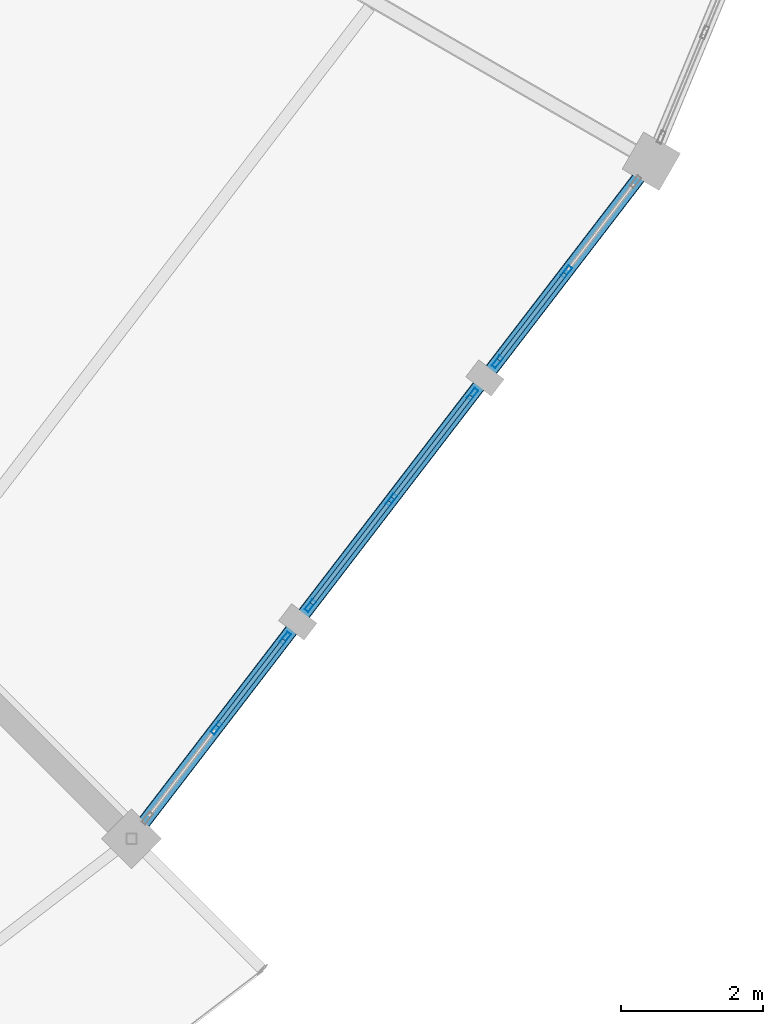
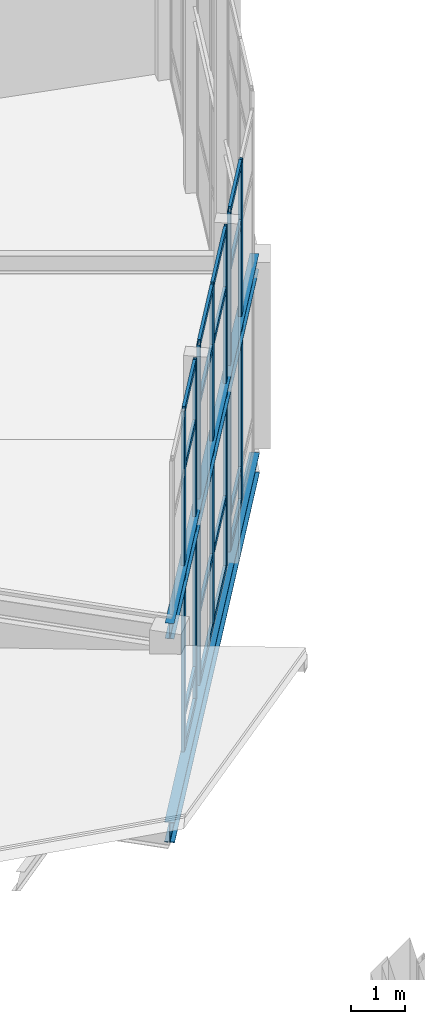
# One storey, part 107 of 185: 23 members, 2 beams, 3 elements without a shape of their own.
"""IFC4 building model written with IfcOpenShell, lengths in metres."""

from ifc_helpers import new_model, si_unit, direction, frame, origin, origin_2d, place, context, subcontext, project, spatial, hollow_rectangle, i_section, extrude, material, material_profile, profile_set, type_object, element, aggregate, save


model = new_model("IFC4")

# Units and contexts
model_context = context("Model", 3, precision=1e-05, world=origin(), true_north=direction((0.0, 1.0)))
body_context = subcontext(model_context, "Body", "Model", "MODEL_VIEW")
ifc_project = project(units=[si_unit("LENGTHUNIT", "METRE"), si_unit("AREAUNIT", "SQUARE_METRE"), si_unit("VOLUMEUNIT", "CUBIC_METRE"), si_unit("PLANEANGLEUNIT", "RADIAN"), si_unit("MASSUNIT", "GRAM", prefix="KILO")], contexts=[model_context])

# Site, building, storey
site_placement = place(None, origin())
site = spatial("IfcSite", under=ifc_project, at=site_placement, CompositionType="ELEMENT")
building_placement = place(site_placement, origin())
building = spatial("IfcBuilding", under=site, at=building_placement, Name="Vondelvale Polytechnic", CompositionType="ELEMENT")
storey_placement = place(building_placement, frame((0.0, 0.0, 9.60009765625)))
storey = spatial("IfcBuildingStorey", under=building, at=storey_placement, Name="L02", CompositionType="ELEMENT", Elevation=9.60009765625)

# Beams
ifc_material_1 = material(Name="Steel 300PLUS (fy = 300 MPa)", Category="steel")
ifc_material_profile_1 = material_profile(ifc_material_1, i_section(OverallWidth=0.1708984375, OverallDepth=0.35205078125, WebThickness=0.0068359375, FlangeThickness=0.009765625, FilletRadius=0.011474609375, at=origin_2d()), Name="360UB44.7")
ifc_profile_set_1 = profile_set([ifc_material_profile_1], Name="Steel 300PLUS (fy = 300 MPa)")
beam_type_1 = type_object("IfcBeamType", Name="BM-UB360L", PredefinedType="BEAM", material=ifc_profile_set_1)
beam_1_placement = place(storey_placement, frame((134.52685546875, 39.47314453125, 4.02392578125), z_axis=(0.608766116008, 0.793349743808, 0.0), x_axis=(-0.793349743808, 0.608766116008, 0.0)))
element("IfcBeam", 1, at=beam_1_placement, inside=storey, type_object=beam_type_1, Name="L02 RE B-24", PredefinedType="BEAM", context=body_context, shape_type="SweptSolid", body=[
    extrude(i_section(OverallWidth=0.1708984375, OverallDepth=0.35205078125, WebThickness=0.0068359375, FlangeThickness=0.009765625, FilletRadius=0.011474609375, at=origin_2d()), origin(), (0.0, 0.0, 1.0), 12.00830078125),
])
ifc_material_profile_2 = material_profile(ifc_material_1, i_section(OverallWidth=0.18994140625, OverallDepth=0.45703125, WebThickness=0.009033203125, FlangeThickness=0.014404296875, FilletRadius=0.011474609375, at=origin_2d()), Name="460UB74.6")
ifc_profile_set_2 = profile_set([ifc_material_profile_2], Name="Steel 300PLUS (fy = 300 MPa)")
beam_type_2 = type_object("IfcBeamType", Name="BM-UB460", PredefinedType="BEAM", material=ifc_profile_set_2)
beam_2_placement = place(storey_placement, frame((134.52685546875, 39.47314453125, -0.508544921875), z_axis=(0.608766116008, 0.793349743808, 0.0), x_axis=(-0.793349743808, 0.608766116008, 0.0)))
element("IfcBeam", 2, at=beam_2_placement, inside=storey, type_object=beam_type_2, Name="L02 RB B-13", PredefinedType="BEAM", context=body_context, shape_type="SweptSolid", body=[
    extrude(i_section(OverallWidth=0.18994140625, OverallDepth=0.45703125, WebThickness=0.009033203125, FlangeThickness=0.014404296875, FilletRadius=0.011474609375, at=origin_2d()), origin(), (0.0, 0.0, 1.0), 12.00830078125),
])

# Curtain wall, members
ifc_material_2 = material(Name="Glulam GL18 structural Tasmanian oak (fb = 42 MPa)", Category="wood")
curtain_wall_type = type_object("IfcCurtainWallType", Name="CW-RING-OUTER", PredefinedType="NOTDEFINED", material=ifc_material_2)
curtain_wall_1_placement = place(storey_placement, origin())
curtain_wall_1 = element("IfcCurtainWall", 3, at=curtain_wall_1_placement, inside=storey, type_object=curtain_wall_type, Name="L02 architectural curtain wall CW-04-356", PredefinedType="NOTDEFINED")
ifc_material_3 = material(Name="Anodised extruded aluminium 6063-T6", Category="aluminium")
ifc_material_profile_3 = material_profile(ifc_material_3, hollow_rectangle(XDim=0.06494140625, YDim=0.179931640625, WallThickness=0.00390625, at=origin_2d()), Name="CW-MUL-180x65")
ifc_profile_set_3 = profile_set([ifc_material_profile_3], Name="Anodised extruded aluminium 6063-T6")
member_type_1 = type_object("IfcMemberType", Name="CW-MUL-65x180", PredefinedType="MULLION", material=ifc_profile_set_3)
member_1_placement = place(storey_placement, frame((135.72021484375, 41.0283203125, 0.0), z_axis=(0.0, 0.0, 1.0), x_axis=(-0.793333825656, 0.608786860133, 0.0)))
member_1 = element("IfcMember", 4, at=member_1_placement, type_object=member_type_1, Name="CW-04-356 mullion 2", PredefinedType="MULLION", context=body_context, shape_type="SweptSolid", body=[
    extrude(hollow_rectangle(XDim=0.06494140625, YDim=0.179931640625, WallThickness=0.00390625, at=origin_2d()), origin(), (0.0, 0.0, 1.0), 7.661376953125),
])
member_2_placement = place(storey_placement, frame((136.691162109375, 42.293701171875, 0.0), z_axis=(0.0, 0.0, 1.0), x_axis=(-0.793333825656, 0.608786860133, 0.0)))
member_2 = element("IfcMember", 5, at=member_2_placement, type_object=member_type_1, Name="CW-04-356 mullion 3", PredefinedType="MULLION", context=body_context, shape_type="SweptSolid", body=[
    extrude(hollow_rectangle(XDim=0.06494140625, YDim=0.179931640625, WallThickness=0.00390625, at=origin_2d()), origin(), (0.0, 0.0, 1.0), 7.661376953125),
])

curtain_wall_2_placement = place(storey_placement, origin())
curtain_wall_2 = element("IfcCurtainWall", 6, at=curtain_wall_2_placement, inside=storey, type_object=curtain_wall_type, Name="L02 architectural curtain wall CW-04-357", PredefinedType="NOTDEFINED")
member_3_placement = place(storey_placement, frame((137.041259765625, 42.749755859375, 0.0), z_axis=(0.0, 0.0, 1.0), x_axis=(-0.793345851043, 0.608771189063, 0.0)))
member_3 = element("IfcMember", 7, at=member_3_placement, type_object=member_type_1, Name="CW-04-357 mullion 1", PredefinedType="MULLION", context=body_context, shape_type="SweptSolid", body=[
    extrude(hollow_rectangle(XDim=0.06494140625, YDim=0.179931640625, WallThickness=0.00390625, at=origin_2d()), origin(), (0.0, 0.0, 1.0), 7.661376953125),
])
member_4_placement = place(storey_placement, frame((138.18212890625, 44.236572265625, 0.0), z_axis=(0.0, 0.0, 1.0), x_axis=(-0.793345851043, 0.608771189063, 0.0)))
member_4 = element("IfcMember", 8, at=member_4_placement, type_object=member_type_1, Name="CW-04-357 mullion 2", PredefinedType="MULLION", context=body_context, shape_type="SweptSolid", body=[
    extrude(hollow_rectangle(XDim=0.06494140625, YDim=0.179931640625, WallThickness=0.00390625, at=origin_2d()), origin(), (0.0, 0.0, 1.0), 7.661376953125),
])
member_5_placement = place(storey_placement, frame((139.322998046875, 45.723388671875, 0.0), z_axis=(0.0, 0.0, 1.0), x_axis=(-0.793345851043, 0.608771189063, 0.0)))
member_5 = element("IfcMember", 9, at=member_5_placement, type_object=member_type_1, Name="CW-04-357 mullion 3", PredefinedType="MULLION", context=body_context, shape_type="SweptSolid", body=[
    extrude(hollow_rectangle(XDim=0.06494140625, YDim=0.179931640625, WallThickness=0.00390625, at=origin_2d()), origin(), (0.0, 0.0, 1.0), 7.661376953125),
])

curtain_wall_3_placement = place(storey_placement, origin())
curtain_wall_3 = element("IfcCurtainWall", 10, at=curtain_wall_3_placement, inside=storey, type_object=curtain_wall_type, Name="L02 architectural curtain wall CW-04-358", PredefinedType="NOTDEFINED")
member_6_placement = place(storey_placement, frame((139.6728515625, 46.179443359375, 0.0), z_axis=(0.0, 0.0, 1.0), x_axis=(-0.793333825656, 0.608786860133, 0.0)))
member_6 = element("IfcMember", 11, at=member_6_placement, type_object=member_type_1, Name="CW-04-358 mullion 1", PredefinedType="MULLION", context=body_context, shape_type="SweptSolid", body=[
    extrude(hollow_rectangle(XDim=0.06494140625, YDim=0.179931640625, WallThickness=0.00390625, at=origin_2d()), origin(), (0.0, 0.0, 1.0), 7.661376953125),
])
member_7_placement = place(storey_placement, frame((140.643798828125, 47.44482421875, 0.0), z_axis=(0.0, 0.0, 1.0), x_axis=(-0.793333825656, 0.608786860133, 0.0)))
member_7 = element("IfcMember", 12, at=member_7_placement, type_object=member_type_1, Name="CW-04-358 mullion 2", PredefinedType="MULLION", context=body_context, shape_type="SweptSolid", body=[
    extrude(hollow_rectangle(XDim=0.06494140625, YDim=0.179931640625, WallThickness=0.00390625, at=origin_2d()), origin(), (0.0, 0.0, 1.0), 7.661376953125),
])

# Member
ifc_material_profile_4 = material_profile(ifc_material_3, hollow_rectangle(XDim=0.06005859375, YDim=0.139892578125, WallThickness=0.00341796875, at=origin_2d()), Name="CW-TRN-140x60")
ifc_profile_set_4 = profile_set([ifc_material_profile_4], Name="Anodised extruded aluminium 6063-T6")
member_type_2 = type_object("IfcMemberType", Name="CW-TRN-60x140", PredefinedType="USERDEFINED", material=ifc_profile_set_4)
member_8_placement = place(storey_placement, frame((135.739990234375, 41.053955078125, 0.02978515625), z_axis=(0.608746385664, 0.793364883229, 0.0), x_axis=(-0.793364883229, 0.608746385664, 0.0)))
member_8 = element("IfcMember", 13, at=member_8_placement, type_object=member_type_2, Name="CW-04-356 transom 2.1", ObjectType="TRANSOM", PredefinedType="USERDEFINED", context=body_context, shape_type="SweptSolid", body=[
    extrude(hollow_rectangle(XDim=0.06005859375, YDim=0.139892578125, WallThickness=0.00341796875, at=origin_2d()), origin(), (0.0, 0.0, 1.0), 1.530029296875),
])

member_9_placement = place(storey_placement, frame((135.739990234375, 41.053955078125, 0.75), z_axis=(0.608746385664, 0.793364883229, 0.0), x_axis=(-0.793364883229, 0.608746385664, 0.0)))
member_9 = element("IfcMember", 14, at=member_9_placement, type_object=member_type_2, Name="CW-04-356 transom 2.2", ObjectType="TRANSOM", PredefinedType="USERDEFINED", context=body_context, shape_type="SweptSolid", body=[
    extrude(hollow_rectangle(XDim=0.06005859375, YDim=0.139892578125, WallThickness=0.00341796875, at=origin_2d()), origin(), (0.0, 0.0, 1.0), 1.530029296875),
])

member_10_placement = place(storey_placement, frame((135.739990234375, 41.053955078125, 6.311279296875), z_axis=(0.608746385664, 0.793364883229, 0.0), x_axis=(-0.793364883229, 0.608746385664, 0.0)))
member_10 = element("IfcMember", 15, at=member_10_placement, type_object=member_type_2, Name="CW-04-356 transom 2.3", ObjectType="TRANSOM", PredefinedType="USERDEFINED", context=body_context, shape_type="SweptSolid", body=[
    extrude(hollow_rectangle(XDim=0.06005859375, YDim=0.139892578125, WallThickness=0.00341796875, at=origin_2d()), origin(), (0.0, 0.0, 1.0), 1.530029296875),
])

member_11_placement = place(storey_placement, frame((135.739990234375, 41.053955078125, 7.63134765625), z_axis=(0.608746385664, 0.793364883229, 0.0), x_axis=(-0.793364883229, 0.608746385664, 0.0)))
member_11 = element("IfcMember", 16, at=member_11_placement, type_object=member_type_2, Name="CW-04-356 transom 2.4", ObjectType="TRANSOM", PredefinedType="USERDEFINED", context=body_context, shape_type="SweptSolid", body=[
    extrude(hollow_rectangle(XDim=0.06005859375, YDim=0.139892578125, WallThickness=0.00341796875, at=origin_2d()), origin(), (0.0, 0.0, 1.0), 1.530029296875),
])

aggregate(curtain_wall_1, [member_1, member_2, member_8, member_9, member_10, member_11])

member_12_placement = place(storey_placement, frame((137.06103515625, 42.775634765625, 0.02978515625), z_axis=(0.608816809849, 0.793310842007, 0.0), x_axis=(-0.793310842007, 0.608816809849, 0.0)))
member_12 = element("IfcMember", 17, at=member_12_placement, type_object=member_type_2, Name="CW-04-357 transom 1.1", ObjectType="TRANSOM", PredefinedType="USERDEFINED", context=body_context, shape_type="SweptSolid", body=[
    extrude(hollow_rectangle(XDim=0.06005859375, YDim=0.139892578125, WallThickness=0.00341796875, at=origin_2d()), origin(), (0.0, 0.0, 1.0), 1.808837890625),
])

member_13_placement = place(storey_placement, frame((137.06103515625, 42.775634765625, 1.599853515625), z_axis=(0.608816809849, 0.793310842007, 0.0), x_axis=(-0.793310842007, 0.608816809849, 0.0)))
member_13 = element("IfcMember", 18, at=member_13_placement, type_object=member_type_2, Name="CW-04-357 transom 1.2", ObjectType="TRANSOM", PredefinedType="USERDEFINED", context=body_context, shape_type="SweptSolid", body=[
    extrude(hollow_rectangle(XDim=0.06005859375, YDim=0.139892578125, WallThickness=0.00341796875, at=origin_2d()), origin(), (0.0, 0.0, 1.0), 1.808837890625),
])

member_14_placement = place(storey_placement, frame((137.06103515625, 42.775634765625, 6.311279296875), z_axis=(0.608816809849, 0.793310842007, 0.0), x_axis=(-0.793310842007, 0.608816809849, 0.0)))
member_14 = element("IfcMember", 19, at=member_14_placement, type_object=member_type_2, Name="CW-04-357 transom 1.3", ObjectType="TRANSOM", PredefinedType="USERDEFINED", context=body_context, shape_type="SweptSolid", body=[
    extrude(hollow_rectangle(XDim=0.06005859375, YDim=0.139892578125, WallThickness=0.00341796875, at=origin_2d()), origin(), (0.0, 0.0, 1.0), 1.808837890625),
])

member_15_placement = place(storey_placement, frame((137.06103515625, 42.775634765625, 7.63134765625), z_axis=(0.608816809849, 0.793310842007, 0.0), x_axis=(-0.793310842007, 0.608816809849, 0.0)))
member_15 = element("IfcMember", 20, at=member_15_placement, type_object=member_type_2, Name="CW-04-357 transom 1.4", ObjectType="TRANSOM", PredefinedType="USERDEFINED", context=body_context, shape_type="SweptSolid", body=[
    extrude(hollow_rectangle(XDim=0.06005859375, YDim=0.139892578125, WallThickness=0.00341796875, at=origin_2d()), origin(), (0.0, 0.0, 1.0), 1.808837890625),
])

member_16_placement = place(storey_placement, frame((138.201904296875, 44.262451171875, 0.02978515625), z_axis=(0.608816809849, 0.793310842007, 0.0), x_axis=(-0.793310842007, 0.608816809849, 0.0)))
member_16 = element("IfcMember", 21, at=member_16_placement, type_object=member_type_2, Name="CW-04-357 transom 2.1", ObjectType="TRANSOM", PredefinedType="USERDEFINED", context=body_context, shape_type="SweptSolid", body=[
    extrude(hollow_rectangle(XDim=0.06005859375, YDim=0.139892578125, WallThickness=0.00341796875, at=origin_2d()), origin(), (0.0, 0.0, 1.0), 1.808837890625),
])

member_17_placement = place(storey_placement, frame((138.201904296875, 44.262451171875, 1.599853515625), z_axis=(0.608816809849, 0.793310842007, 0.0), x_axis=(-0.793310842007, 0.608816809849, 0.0)))
member_17 = element("IfcMember", 22, at=member_17_placement, type_object=member_type_2, Name="CW-04-357 transom 2.2", ObjectType="TRANSOM", PredefinedType="USERDEFINED", context=body_context, shape_type="SweptSolid", body=[
    extrude(hollow_rectangle(XDim=0.06005859375, YDim=0.139892578125, WallThickness=0.00341796875, at=origin_2d()), origin(), (0.0, 0.0, 1.0), 1.808837890625),
])

member_18_placement = place(storey_placement, frame((138.201904296875, 44.262451171875, 6.311279296875), z_axis=(0.608816809849, 0.793310842007, 0.0), x_axis=(-0.793310842007, 0.608816809849, 0.0)))
member_18 = element("IfcMember", 23, at=member_18_placement, type_object=member_type_2, Name="CW-04-357 transom 2.3", ObjectType="TRANSOM", PredefinedType="USERDEFINED", context=body_context, shape_type="SweptSolid", body=[
    extrude(hollow_rectangle(XDim=0.06005859375, YDim=0.139892578125, WallThickness=0.00341796875, at=origin_2d()), origin(), (0.0, 0.0, 1.0), 1.808837890625),
])

member_19_placement = place(storey_placement, frame((138.201904296875, 44.262451171875, 7.63134765625), z_axis=(0.608816809849, 0.793310842007, 0.0), x_axis=(-0.793310842007, 0.608816809849, 0.0)))
member_19 = element("IfcMember", 24, at=member_19_placement, type_object=member_type_2, Name="CW-04-357 transom 2.4", ObjectType="TRANSOM", PredefinedType="USERDEFINED", context=body_context, shape_type="SweptSolid", body=[
    extrude(hollow_rectangle(XDim=0.06005859375, YDim=0.139892578125, WallThickness=0.00341796875, at=origin_2d()), origin(), (0.0, 0.0, 1.0), 1.808837890625),
])

aggregate(curtain_wall_2, [member_3, member_4, member_5, member_12, member_13, member_14, member_15, member_16, member_17, member_18, member_19])

member_20_placement = place(storey_placement, frame((139.692626953125, 46.205322265625, 0.02978515625), z_axis=(0.60882345649, 0.793305741078, 0.0), x_axis=(-0.793305741078, 0.60882345649, 0.0)))
member_20 = element("IfcMember", 25, at=member_20_placement, type_object=member_type_2, Name="CW-04-358 transom 1.1", ObjectType="TRANSOM", PredefinedType="USERDEFINED", context=body_context, shape_type="SweptSolid", body=[
    extrude(hollow_rectangle(XDim=0.06005859375, YDim=0.139892578125, WallThickness=0.00341796875, at=origin_2d()), origin(), (0.0, 0.0, 1.0), 1.52978515625),
])

member_21_placement = place(storey_placement, frame((139.692626953125, 46.205322265625, 0.75), z_axis=(0.60882345649, 0.793305741078, 0.0), x_axis=(-0.793305741078, 0.60882345649, 0.0)))
member_21 = element("IfcMember", 26, at=member_21_placement, type_object=member_type_2, Name="CW-04-358 transom 1.2", ObjectType="TRANSOM", PredefinedType="USERDEFINED", context=body_context, shape_type="SweptSolid", body=[
    extrude(hollow_rectangle(XDim=0.06005859375, YDim=0.139892578125, WallThickness=0.00341796875, at=origin_2d()), origin(), (0.0, 0.0, 1.0), 1.52978515625),
])

member_22_placement = place(storey_placement, frame((139.692626953125, 46.205322265625, 6.311279296875), z_axis=(0.60882345649, 0.793305741078, 0.0), x_axis=(-0.793305741078, 0.60882345649, 0.0)))
member_22 = element("IfcMember", 27, at=member_22_placement, type_object=member_type_2, Name="CW-04-358 transom 1.3", ObjectType="TRANSOM", PredefinedType="USERDEFINED", context=body_context, shape_type="SweptSolid", body=[
    extrude(hollow_rectangle(XDim=0.06005859375, YDim=0.139892578125, WallThickness=0.00341796875, at=origin_2d()), origin(), (0.0, 0.0, 1.0), 1.52978515625),
])

member_23_placement = place(storey_placement, frame((139.692626953125, 46.205322265625, 7.63134765625), z_axis=(0.60882345649, 0.793305741078, 0.0), x_axis=(-0.793305741078, 0.60882345649, 0.0)))
member_23 = element("IfcMember", 28, at=member_23_placement, type_object=member_type_2, Name="CW-04-358 transom 1.4", ObjectType="TRANSOM", PredefinedType="USERDEFINED", context=body_context, shape_type="SweptSolid", body=[
    extrude(hollow_rectangle(XDim=0.06005859375, YDim=0.139892578125, WallThickness=0.00341796875, at=origin_2d()), origin(), (0.0, 0.0, 1.0), 1.52978515625),
])

aggregate(curtain_wall_3, [member_6, member_7, member_20, member_21, member_22, member_23])

save(model, "model.ifc")
